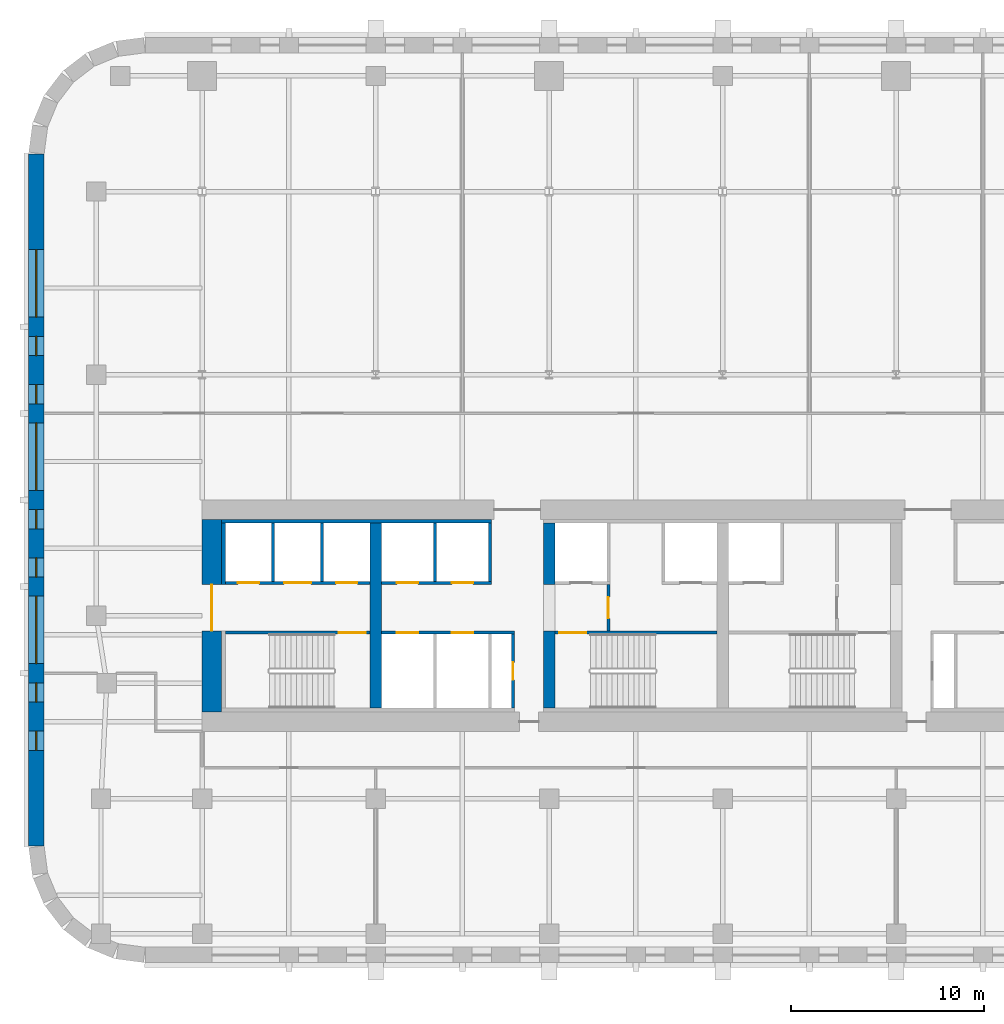
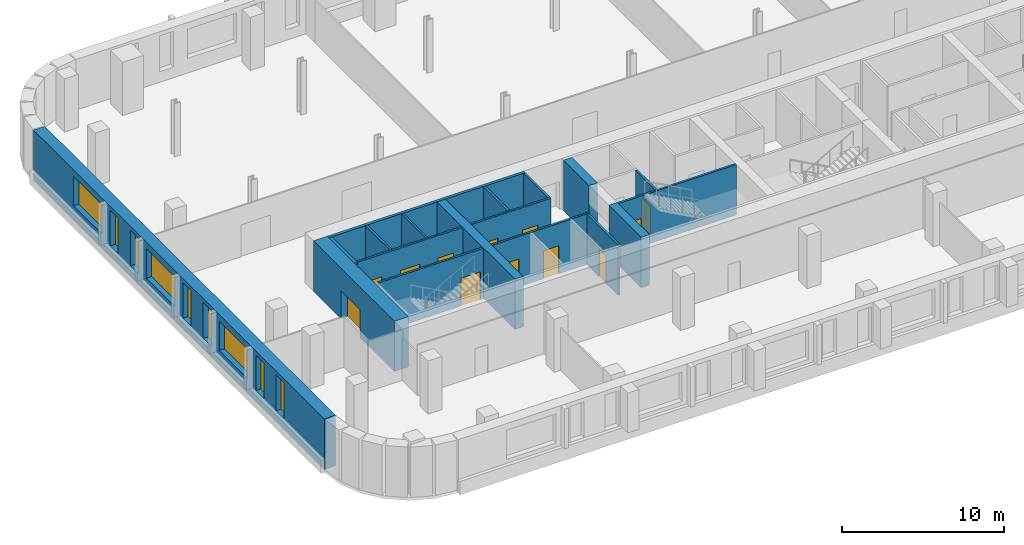
# One storey, part 3 of 9: 18 walls, 12 doors, 9 windows, 21 openings.
"""IFC4 building model written with IfcOpenShell, lengths in metres."""

from ifc_helpers import new_model, si_unit, direction, frame, frame_2d, origin, place, context, subcontext, project, spatial, rectangle, extrude, material, layer, layer_set, type_object, element, fill, save


model = new_model("IFC4")

# Units and contexts
model_context = context("Model", 3, precision=1e-05, world=origin(), true_north=direction((0.0, 1.0)))
body_context = subcontext(model_context, "Body", "Model", "MODEL_VIEW")
ifc_project = project(units=[si_unit("LENGTHUNIT", "METRE"), si_unit("AREAUNIT", "SQUARE_METRE"), si_unit("VOLUMEUNIT", "CUBIC_METRE"), si_unit("PLANEANGLEUNIT", "RADIAN"), si_unit("MASSUNIT", "GRAM", prefix="KILO")], contexts=[model_context])

# Site, building, storey
site_placement = place(None, origin())
site = spatial("IfcSite", under=ifc_project, at=site_placement, CompositionType="ELEMENT")
building_placement = place(site_placement, origin())
building = spatial("IfcBuilding", under=site, at=building_placement, Name="Zellij Exchange Tower", CompositionType="ELEMENT")
storey_placement = place(building_placement, frame((0.0, 0.0, 148.5)))
storey = spatial("IfcBuildingStorey", under=building, at=storey_placement, Name="L33", CompositionType="ELEMENT", Elevation=148.5)

# Walls
ifc_material_1 = material(Name="Concrete C70/85", Category="concrete")
ifc_layer_1 = layer(ifc_material_1, 0.60009765625)
ifc_layer_set_1 = layer_set([ifc_layer_1], Name="Concrete C70/85")
wall_type_1 = type_object("IfcWallType", Name="CORE-CW 600 C70/85", PredefinedType="SHEAR", material=ifc_layer_set_1)
wall_1_placement = place(storey_placement, frame((-18.0, -12.800048828125, 0.0), z_axis=(0.0, 0.0, 1.0), x_axis=(0.0, 1.0, 0.0)))
element("IfcWall", 1, at=wall_1_placement, inside=storey, type_object=wall_type_1, Name="Core cross wall x -18 L33", PredefinedType="SHEAR", context=body_context, shape_type="SweptSolid", body=[
    extrude(rectangle(XDim=9.60009765625, YDim=0.60009765625, at=frame_2d((4.800048828125, 0.0))), origin(), (0.0, 0.0, 1.0), 3.800048828125),
])
wall_2_placement = place(storey_placement, frame((-9.0, -12.800048828125, 0.0), z_axis=(0.0, 0.0, 1.0), x_axis=(0.0, 1.0, 0.0)))
element("IfcWall", 2, at=wall_2_placement, inside=storey, type_object=wall_type_1, Name="Core cross wall pier x -9 a L33", PredefinedType="SHEAR", context=body_context, shape_type="SweptSolid", body=[
    extrude(rectangle(XDim=4.0, YDim=0.60009765625, at=frame_2d((2.0, 0.0))), origin(), (0.0, 0.0, 1.0), 3.800048828125),
])
wall_3_placement = place(storey_placement, frame((-9.0, -6.375, 0.0), z_axis=(0.0, 0.0, 1.0), x_axis=(0.0, 1.0, 0.0)))
element("IfcWall", 3, at=wall_3_placement, inside=storey, type_object=wall_type_1, Name="Core cross wall pier x -9 b L33", PredefinedType="SHEAR", context=body_context, shape_type="SweptSolid", body=[
    extrude(rectangle(XDim=3.175048828125, YDim=0.60009765625, at=frame_2d((1.58740234375, 0.0))), origin(), (0.0, 0.0, 1.0), 3.800048828125),
])
ifc_material_2 = material(Name="Concrete C30/37", Category="concrete")
ifc_layer_2 = layer(ifc_material_2, 0.199951171875)
ifc_layer_set_2 = layer_set([ifc_layer_2], Name="Concrete C30/37")
wall_type_2 = type_object("IfcWallType", Name="CORE-LW 200 C30/37", PredefinedType="SHEAR", material=ifc_layer_set_2)
wall_4_placement = place(storey_placement, frame((-26.0, -3.10009765625, 0.0), z_axis=(0.0, 0.0, 1.0), x_axis=(1.0, 0.0, 0.0)))
element("IfcWall", 4, at=wall_4_placement, inside=storey, type_object=wall_type_2, Name="Core wall lining front.0 L33", PredefinedType="SHEAR", context=body_context, shape_type="SweptSolid", body=[
    extrude(rectangle(XDim=14.0, YDim=0.199951171875, at=frame_2d((7.0, 0.0))), origin(), (0.0, 0.0, 1.0), 3.800048828125),
])
wall_5_placement = place(storey_placement, frame((-25.89990234375, -6.375, 0.0), z_axis=(0.0, 0.0, 1.0), x_axis=(0.0, 1.0, 0.0)))
element("IfcWall", 5, at=wall_5_placement, inside=storey, type_object=wall_type_2, Name="Core wall lining end w.1 L33", PredefinedType="SHEAR", context=body_context, shape_type="SweptSolid", body=[
    extrude(rectangle(XDim=3.175048828125, YDim=0.199951171875, at=frame_2d((1.58740234375, 0.0))), origin(), (0.0, 0.0, 1.0), 3.800048828125),
])

# Wall, opening, door
ifc_material_3 = material(Name="Gypsum shaft wall system")
ifc_layer_3 = layer(ifc_material_3, 0.14990234375)
ifc_layer_set_3 = layer_set([ifc_layer_3], Name="Gypsum shaft wall system")
wall_type_3 = type_object("IfcWallType", Name="CORE-PW 150 Firefighting lobby wall", PredefinedType="PARTITIONING", material=ifc_layer_set_3)
wall_6_placement = place(storey_placement, frame((-5.925048828125, -8.800048828125, 0.0), z_axis=(0.0, 0.0, 1.0), x_axis=(0.0, 1.0, 0.0)))
wall_6 = element("IfcWall", 6, at=wall_6_placement, inside=storey, type_object=wall_type_3, Name="Firefighting lobby wall L33", PredefinedType="PARTITIONING", context=body_context, shape_type="SweptSolid", body=[
    extrude(rectangle(XDim=2.425048828125, YDim=0.14990234375, at=frame_2d((1.21240234375, 0.0))), origin(), (0.0, 0.0, 1.0), 3.800048828125),
])
opening_1_placement = place(wall_6_placement, frame((0.662109375, 0.0, 0.0)))
opening_1 = element("IfcOpeningElement", 7, at=opening_1_placement, cuts=wall_6, Name="Opening CA-17.15", PredefinedType="OPENING", context=body_context, shape_type="SweptSolid", body=[
    extrude(rectangle(XDim=1.10009765625, YDim=2.10009765625, at=frame_2d((0.550048828125, 1.050048828125))), frame((0.0, 0.0869140625, 0.0), z_axis=(0.0, -1.0, 0.0), x_axis=(1.0, 0.0, 0.0)), (0.0, 0.0, 1.0), 0.173828125),
])
ifc_material_4 = material(Name="Hollow metal fire door")
door_type_1 = type_object("IfcDoorType", Name="CORE-D F Firefighting lobby door 1100x2100 1 HR", OperationType="NOTDEFINED", PredefinedType="DOOR", material=ifc_material_4)
door_1_placement = place(opening_1_placement, origin())
door_1 = element("IfcDoor", 8, at=door_1_placement, inside=storey, type_object=door_type_1, Name="Firefighting lobby door CA-17.15", OperationType="SINGLE_SWING_LEFT", OverallHeight=2.10009765625, OverallWidth=1.10009765625, PredefinedType="DOOR", context=body_context, shape_type="SweptSolid", body=[
    extrude(rectangle(XDim=1.10009765625, YDim=2.10009765625, at=frame_2d((0.550048828125, 1.050048828125))), frame((0.0, 0.02490234375, 0.0), z_axis=(0.0, -1.0, 0.0), x_axis=(1.0, 0.0, 0.0)), (0.0, 0.0, 1.0), 0.050048828125),
])
fill(opening_1, door_1)

ifc_material_5 = material(Name="Gypsum board partition")
ifc_layer_4 = layer(ifc_material_5, 0.14990234375)
ifc_layer_set_4 = layer_set([ifc_layer_4], Name="Gypsum board partition")
wall_type_4 = type_object("IfcWallType", Name="CORE-PW 150 Lift lobby wall", PredefinedType="PARTITIONING", material=ifc_layer_set_4)
wall_7_placement = place(storey_placement, frame((-10.875, -12.800048828125, 0.0), z_axis=(0.0, 0.0, 1.0), x_axis=(0.0, 1.0, 0.0)))
wall_7 = element("IfcWall", 9, at=wall_7_placement, inside=storey, type_object=wall_type_4, Name="Lift lobby wall L33", PredefinedType="PARTITIONING", context=body_context, shape_type="SweptSolid", body=[
    extrude(rectangle(XDim=3.85009765625, YDim=0.14990234375, at=frame_2d((1.925048828125, 0.0))), origin(), (0.0, 0.0, 1.0), 3.800048828125),
])
opening_2_placement = place(wall_7_placement, frame((1.47509765625, 0.0, 0.0)))
opening_2 = element("IfcOpeningElement", 10, at=opening_2_placement, cuts=wall_7, Name="Opening CA-17.10", PredefinedType="OPENING", context=body_context, shape_type="SweptSolid", body=[
    extrude(rectangle(XDim=0.89990234375, YDim=2.10009765625, at=frame_2d((0.449951171875, 1.050048828125))), frame((0.0, 0.0869140625, 0.0), z_axis=(0.0, -1.0, 0.0), x_axis=(1.0, 0.0, 0.0)), (0.0, 0.0, 1.0), 0.173828125),
])
door_type_2 = type_object("IfcDoorType", Name="CORE-D RD Riser door 900x2100 1.5 HR", OperationType="NOTDEFINED", PredefinedType="DOOR", material=ifc_material_4)
door_2_placement = place(opening_2_placement, origin())
door_2 = element("IfcDoor", 11, at=door_2_placement, inside=storey, type_object=door_type_2, Name="Riser door CA-17.10", OperationType="SINGLE_SWING_RIGHT", OverallHeight=2.10009765625, OverallWidth=0.89990234375, PredefinedType="DOOR", context=body_context, shape_type="SweptSolid", body=[
    extrude(rectangle(XDim=0.89990234375, YDim=2.10009765625, at=frame_2d((0.449951171875, 1.050048828125))), frame((0.0, 0.02490234375, 0.0), z_axis=(0.0, -1.0, 0.0), x_axis=(1.0, 0.0, 0.0)), (0.0, 0.0, 1.0), 0.050048828125),
])
fill(opening_2, door_2)

# Walls
ifc_layer_5 = layer(ifc_material_3, 0.14990234375)
ifc_layer_set_5 = layer_set([ifc_layer_5], Name="Gypsum shaft wall system")
wall_type_5 = type_object("IfcWallType", Name="CORE-PW 150 Lift shaft wall", PredefinedType="PARTITIONING", material=ifc_layer_set_5)
for number, where, z_axis, x_axis, name in (
    (12, (-20.77490234375, -6.22509765625, 0.0), (0.0, 0.0, 1.0), (0.0, 1.0, 0.0), "Lift shaft wall L33"),
    (13, (-23.324951171875, -6.22509765625, 0.0), (0.0, 0.0, 1.0), (0.0, 1.0, 0.0), "Lift shaft wall L33"),
    (14, (-12.074951171875, -6.22509765625, 0.0), (0.0, 0.0, 1.0), (0.0, 1.0, 0.0), "Lift shaft wall L33"),
    (15, (-14.925048828125, -6.22509765625, 0.0), (0.0, 0.0, 1.0), (0.0, 1.0, 0.0), "Lift shaft wall L33"),
):
    element("IfcWall", number, at=place(storey_placement, frame(where, z_axis=z_axis, x_axis=x_axis)), inside=storey, type_object=wall_type_5, Name=name, PredefinedType="PARTITIONING", context=body_context, shape_type="SweptSolid", body=[
        extrude(rectangle(XDim=3.025146484375, YDim=0.14990234375, at=frame_2d((1.5126953125, 0.0))), origin(), (0.0, 0.0, 1.0), 3.800048828125),
    ])

# Wall, openings, doors
wall_8_placement = place(storey_placement, frame((-25.800048828125, -6.300048828125, 0.0), z_axis=(0.0, 0.0, 1.0), x_axis=(1.0, 0.0, 0.0)))
wall_8 = element("IfcWall", 16, at=wall_8_placement, inside=storey, type_object=wall_type_5, Name="Lift shaft wall L33", PredefinedType="PARTITIONING", context=body_context, shape_type="SweptSolid", body=[
    extrude(rectangle(XDim=7.5, YDim=0.14990234375, at=frame_2d((3.75, 0.0))), origin(), (0.0, 0.0, 1.0), 3.800048828125),
])
opening_3_placement = place(wall_8_placement, frame((0.64990234375, 0.0, 0.0)))
opening_3 = element("IfcOpeningElement", 17, at=opening_3_placement, cuts=wall_8, Name="Opening CA-17.02", PredefinedType="OPENING", context=body_context, shape_type="SweptSolid", body=[
    extrude(rectangle(XDim=1.10009765625, YDim=2.10009765625, at=frame_2d((0.550048828125, 1.050048828125))), frame((0.0, 0.0869140625, 0.0), z_axis=(0.0, -1.0, 0.0), x_axis=(1.0, 0.0, 0.0)), (0.0, 0.0, 1.0), 0.173828125),
])
opening_4_placement = place(wall_8_placement, frame((3.050048828125, 0.0, 0.0)))
opening_4 = element("IfcOpeningElement", 18, at=opening_4_placement, cuts=wall_8, Name="Opening CA-17.03", PredefinedType="OPENING", context=body_context, shape_type="SweptSolid", body=[
    extrude(rectangle(XDim=1.39990234375, YDim=2.10009765625, at=frame_2d((0.699951171875, 1.050048828125))), frame((0.0, 0.0869140625, 0.0), z_axis=(0.0, -1.0, 0.0), x_axis=(1.0, 0.0, 0.0)), (0.0, 0.0, 1.0), 0.173828125),
])
opening_5_placement = place(wall_8_placement, frame((5.75, 0.0, 0.0)))
opening_5 = element("IfcOpeningElement", 19, at=opening_5_placement, cuts=wall_8, Name="Opening CA-17.04", PredefinedType="OPENING", context=body_context, shape_type="SweptSolid", body=[
    extrude(rectangle(XDim=1.10009765625, YDim=2.10009765625, at=frame_2d((0.550048828125, 1.050048828125))), frame((0.0, 0.0869140625, 0.0), z_axis=(0.0, -1.0, 0.0), x_axis=(1.0, 0.0, 0.0)), (0.0, 0.0, 1.0), 0.173828125),
])
door_type_3 = type_object("IfcDoorType", Name="CORE-D LD Lift landing door 1100x2100 1.5 HR", OperationType="NOTDEFINED", PredefinedType="DOOR", material=ifc_material_4)
door_3_placement = place(opening_3_placement, origin())
door_3 = element("IfcDoor", 20, at=door_3_placement, inside=storey, type_object=door_type_3, Name="Lift landing door CA-17.02", OperationType="SLIDING_TO_RIGHT", OverallHeight=2.10009765625, OverallWidth=1.10009765625, PredefinedType="DOOR", context=body_context, shape_type="SweptSolid", body=[
    extrude(rectangle(XDim=1.10009765625, YDim=2.10009765625, at=frame_2d((0.550048828125, 1.050048828125))), frame((0.0, 0.02490234375, 0.0), z_axis=(0.0, -1.0, 0.0), x_axis=(1.0, 0.0, 0.0)), (0.0, 0.0, 1.0), 0.050048828125),
])
fill(opening_3, door_3)
door_4_placement = place(opening_5_placement, origin())
door_4 = element("IfcDoor", 21, at=door_4_placement, inside=storey, type_object=door_type_3, Name="Lift landing door CA-17.04", OperationType="SLIDING_TO_RIGHT", OverallHeight=2.10009765625, OverallWidth=1.10009765625, PredefinedType="DOOR", context=body_context, shape_type="SweptSolid", body=[
    extrude(rectangle(XDim=1.10009765625, YDim=2.10009765625, at=frame_2d((0.550048828125, 1.050048828125))), frame((0.0, 0.02490234375, 0.0), z_axis=(0.0, -1.0, 0.0), x_axis=(1.0, 0.0, 0.0)), (0.0, 0.0, 1.0), 0.050048828125),
])
fill(opening_5, door_4)
door_type_4 = type_object("IfcDoorType", Name="CORE-D LD2 Service lift landing door 1400x2100 1.5 HR", OperationType="NOTDEFINED", PredefinedType="DOOR", material=ifc_material_4)
door_5_placement = place(opening_4_placement, origin())
door_5 = element("IfcDoor", 22, at=door_5_placement, inside=storey, type_object=door_type_4, Name="Service lift landing door CA-17.03", OperationType="SLIDING_TO_LEFT", OverallHeight=2.10009765625, OverallWidth=1.39990234375, PredefinedType="DOOR", context=body_context, shape_type="SweptSolid", body=[
    extrude(rectangle(XDim=1.39990234375, YDim=2.10009765625, at=frame_2d((0.699951171875, 1.050048828125))), frame((0.0, 0.02490234375, 0.0), z_axis=(0.0, -1.0, 0.0), x_axis=(1.0, 0.0, 0.0)), (0.0, 0.0, 1.0), 0.050048828125),
])
fill(opening_4, door_5)

wall_9_placement = place(storey_placement, frame((-17.699951171875, -6.300048828125, 0.0), z_axis=(0.0, 0.0, 1.0), x_axis=(1.0, 0.0, 0.0)))
wall_9 = element("IfcWall", 23, at=wall_9_placement, inside=storey, type_object=wall_type_5, Name="Lift shaft wall L33", PredefinedType="PARTITIONING", context=body_context, shape_type="SweptSolid", body=[
    extrude(rectangle(XDim=5.699951171875, YDim=0.14990234375, at=frame_2d((2.85009765625, 0.0))), origin(), (0.0, 0.0, 1.0), 3.800048828125),
])
opening_6_placement = place(wall_9_placement, frame((0.800048828125, 0.0, 0.0)))
opening_6 = element("IfcOpeningElement", 24, at=opening_6_placement, cuts=wall_9, Name="Opening CA-17.07", PredefinedType="OPENING", context=body_context, shape_type="SweptSolid", body=[
    extrude(rectangle(XDim=1.10009765625, YDim=2.10009765625, at=frame_2d((0.550048828125, 1.050048828125))), frame((0.0, 0.0869140625, 0.0), z_axis=(0.0, -1.0, 0.0), x_axis=(1.0, 0.0, 0.0)), (0.0, 0.0, 1.0), 0.173828125),
])
opening_7_placement = place(wall_9_placement, frame((3.64990234375, 0.0, 0.0)))
opening_7 = element("IfcOpeningElement", 25, at=opening_7_placement, cuts=wall_9, Name="Opening CA-17.09", PredefinedType="OPENING", context=body_context, shape_type="SweptSolid", body=[
    extrude(rectangle(XDim=1.10009765625, YDim=2.10009765625, at=frame_2d((0.550048828125, 1.050048828125))), frame((0.0, 0.0869140625, 0.0), z_axis=(0.0, -1.0, 0.0), x_axis=(1.0, 0.0, 0.0)), (0.0, 0.0, 1.0), 0.173828125),
])
door_6_placement = place(opening_6_placement, origin())
door_6 = element("IfcDoor", 26, at=door_6_placement, inside=storey, type_object=door_type_3, Name="Lift landing door CA-17.07", OperationType="SLIDING_TO_LEFT", OverallHeight=2.10009765625, OverallWidth=1.10009765625, PredefinedType="DOOR", context=body_context, shape_type="SweptSolid", body=[
    extrude(rectangle(XDim=1.10009765625, YDim=2.10009765625, at=frame_2d((0.550048828125, 1.050048828125))), frame((0.0, 0.02490234375, 0.0), z_axis=(0.0, -1.0, 0.0), x_axis=(1.0, 0.0, 0.0)), (0.0, 0.0, 1.0), 0.050048828125),
])
fill(opening_6, door_6)
door_7_placement = place(opening_7_placement, origin())
door_7 = element("IfcDoor", 27, at=door_7_placement, inside=storey, type_object=door_type_3, Name="Lift landing door CA-17.09", OperationType="SLIDING_TO_LEFT", OverallHeight=2.10009765625, OverallWidth=1.10009765625, PredefinedType="DOOR", context=body_context, shape_type="SweptSolid", body=[
    extrude(rectangle(XDim=1.10009765625, YDim=2.10009765625, at=frame_2d((0.550048828125, 1.050048828125))), frame((0.0, 0.02490234375, 0.0), z_axis=(0.0, -1.0, 0.0), x_axis=(1.0, 0.0, 0.0)), (0.0, 0.0, 1.0), 0.050048828125),
])
fill(opening_7, door_7)

wall_10_placement = place(storey_placement, frame((-17.699951171875, -8.875, 0.0), z_axis=(0.0, 0.0, 1.0), x_axis=(1.0, 0.0, 0.0)))
wall_10 = element("IfcWall", 28, at=wall_10_placement, inside=storey, type_object=wall_type_5, Name="Lift shaft wall L33", PredefinedType="PARTITIONING", context=body_context, shape_type="SweptSolid", body=[
    extrude(rectangle(XDim=6.89990234375, YDim=0.14990234375, at=frame_2d((3.449951171875, 0.0))), origin(), (0.0, 0.0, 1.0), 3.800048828125),
])
opening_8_placement = place(wall_10_placement, frame((0.800048828125, 0.0, 0.0)))
opening_8 = element("IfcOpeningElement", 29, at=opening_8_placement, cuts=wall_10, Name="Opening CA-17.06", PredefinedType="OPENING", context=body_context, shape_type="SweptSolid", body=[
    extrude(rectangle(XDim=1.10009765625, YDim=2.10009765625, at=frame_2d((0.550048828125, 1.050048828125))), frame((0.0, 0.0869140625, 0.0), z_axis=(0.0, -1.0, 0.0), x_axis=(1.0, 0.0, 0.0)), (0.0, 0.0, 1.0), 0.173828125),
])
opening_9_placement = place(wall_10_placement, frame((3.64990234375, 0.0, 0.0)))
opening_9 = element("IfcOpeningElement", 30, at=opening_9_placement, cuts=wall_10, Name="Opening CA-17.08", PredefinedType="OPENING", context=body_context, shape_type="SweptSolid", body=[
    extrude(rectangle(XDim=1.10009765625, YDim=2.10009765625, at=frame_2d((0.550048828125, 1.050048828125))), frame((0.0, 0.0869140625, 0.0), z_axis=(0.0, -1.0, 0.0), x_axis=(1.0, 0.0, 0.0)), (0.0, 0.0, 1.0), 0.173828125),
])
door_8_placement = place(opening_8_placement, origin())
door_8 = element("IfcDoor", 31, at=door_8_placement, inside=storey, type_object=door_type_3, Name="Lift landing door CA-17.06", OperationType="SLIDING_TO_RIGHT", OverallHeight=2.10009765625, OverallWidth=1.10009765625, PredefinedType="DOOR", context=body_context, shape_type="SweptSolid", body=[
    extrude(rectangle(XDim=1.10009765625, YDim=2.10009765625, at=frame_2d((0.550048828125, 1.050048828125))), frame((0.0, 0.02490234375, 0.0), z_axis=(0.0, -1.0, 0.0), x_axis=(1.0, 0.0, 0.0)), (0.0, 0.0, 1.0), 0.050048828125),
])
fill(opening_8, door_8)
door_9_placement = place(opening_9_placement, origin())
door_9 = element("IfcDoor", 32, at=door_9_placement, inside=storey, type_object=door_type_3, Name="Lift landing door CA-17.08", OperationType="SLIDING_TO_RIGHT", OverallHeight=2.10009765625, OverallWidth=1.10009765625, PredefinedType="DOOR", context=body_context, shape_type="SweptSolid", body=[
    extrude(rectangle(XDim=1.10009765625, YDim=2.10009765625, at=frame_2d((0.550048828125, 1.050048828125))), frame((0.0, 0.02490234375, 0.0), z_axis=(0.0, -1.0, 0.0), x_axis=(1.0, 0.0, 0.0)), (0.0, 0.0, 1.0), 0.050048828125),
])
fill(opening_9, door_9)

# Wall, opening, door
ifc_layer_6 = layer(ifc_material_1, 1.0)
ifc_layer_set_6 = layer_set([ifc_layer_6], Name="Concrete C70/85")
wall_type_6 = type_object("IfcWallType", Name="CORE-SW 1000 C70/85", PredefinedType="SHEAR", material=ifc_layer_set_6)
wall_11_placement = place(storey_placement, frame((-26.5, -13.0, 0.0), z_axis=(0.0, 0.0, 1.0), x_axis=(0.0, 1.0, 0.0)))
wall_11 = element("IfcWall", 33, at=wall_11_placement, inside=storey, type_object=wall_type_6, Name="Core shear wall end w L33", PredefinedType="SHEAR", context=body_context, shape_type="SweptSolid", body=[
    extrude(rectangle(XDim=10.0, YDim=1.0, at=frame_2d((5.0, 0.0))), origin(), (0.0, 0.0, 1.0), 3.800048828125),
])
opening_10_placement = place(wall_11_placement, frame((4.2119140625, 0.0, 0.0)))
opening_10 = element("IfcOpeningElement", 34, at=opening_10_placement, cuts=wall_11, Name="Opening CA-17.01", PredefinedType="OPENING", context=body_context, shape_type="SweptSolid", body=[
    extrude(rectangle(XDim=2.39990234375, YDim=2.10009765625, at=frame_2d((1.199951171875, 1.050048828125))), frame((0.0, 0.511962890625, 0.0), z_axis=(0.0, -1.0, 0.0), x_axis=(1.0, 0.0, 0.0)), (0.0, 0.0, 1.0), 1.02392578125),
])
door_type_5 = type_object("IfcDoorType", Name="CORE-D CE Core entrance door 2400x2100 20 MIN", OperationType="NOTDEFINED", PredefinedType="DOOR", material=ifc_material_4)
door_10_placement = place(opening_10_placement, origin())
door_10 = element("IfcDoor", 35, at=door_10_placement, inside=storey, type_object=door_type_5, Name="Core entrance door CA-17.01", OperationType="DOUBLE_DOOR_SINGLE_SWING", OverallHeight=2.10009765625, OverallWidth=2.39990234375, PredefinedType="DOOR", context=body_context, shape_type="SweptSolid", body=[
    extrude(rectangle(XDim=2.39990234375, YDim=2.10009765625, at=frame_2d((1.199951171875, 1.050048828125))), frame((0.0, 0.02490234375, 0.0), z_axis=(0.0, -1.0, 0.0), x_axis=(1.0, 0.0, 0.0)), (0.0, 0.0, 1.0), 0.050048828125),
])
fill(opening_10, door_10)

ifc_layer_7 = layer(ifc_material_1, 0.14990234375)
ifc_layer_set_7 = layer_set([ifc_layer_7], Name="Concrete C70/85")
wall_type_7 = type_object("IfcWallType", Name="CORE-SWS 150 C70/85", PredefinedType="SHEAR", material=ifc_layer_set_7)
wall_12_placement = place(storey_placement, frame((-25.800048828125, -8.875, 0.0), z_axis=(0.0, 0.0, 1.0), x_axis=(1.0, 0.0, 0.0)))
wall_12 = element("IfcWall", 36, at=wall_12_placement, inside=storey, type_object=wall_type_7, Name="Stair enclosure wall L33", PredefinedType="SHEAR", context=body_context, shape_type="SweptSolid", body=[
    extrude(rectangle(XDim=7.5, YDim=0.14990234375, at=frame_2d((3.75, 0.0))), origin(), (0.0, 0.0, 1.0), 3.800048828125),
])
opening_11_placement = place(wall_12_placement, frame((5.875, 0.0, 0.0)))
opening_11 = element("IfcOpeningElement", 37, at=opening_11_placement, cuts=wall_12, Name="Opening CA-17.05", PredefinedType="OPENING", context=body_context, shape_type="SweptSolid", body=[
    extrude(rectangle(XDim=1.39990234375, YDim=2.10009765625, at=frame_2d((0.699951171875, 1.050048828125))), frame((0.0, 0.0869140625, 0.0), z_axis=(0.0, -1.0, 0.0), x_axis=(1.0, 0.0, 0.0)), (0.0, 0.0, 1.0), 0.173828125),
])
door_type_6 = type_object("IfcDoorType", Name="CORE-D SD Stair door 1400x2100 1.5 HR", OperationType="NOTDEFINED", PredefinedType="DOOR", material=ifc_material_4)
door_11_placement = place(opening_11_placement, origin())
door_11 = element("IfcDoor", 38, at=door_11_placement, inside=storey, type_object=door_type_6, Name="Stair door CA-17.05", OperationType="DOUBLE_DOOR_SINGLE_SWING", OverallHeight=2.10009765625, OverallWidth=1.39990234375, PredefinedType="DOOR", context=body_context, shape_type="SweptSolid", body=[
    extrude(rectangle(XDim=1.39990234375, YDim=2.10009765625, at=frame_2d((0.699951171875, 1.050048828125))), frame((0.0, 0.02490234375, 0.0), z_axis=(0.0, -1.0, 0.0), x_axis=(1.0, 0.0, 0.0)), (0.0, 0.0, 1.0), 0.050048828125),
])
fill(opening_11, door_11)

wall_13_placement = place(storey_placement, frame((-8.699951171875, -8.875, 0.0), z_axis=(0.0, 0.0, 1.0), x_axis=(1.0, 0.0, 0.0)))
wall_13 = element("IfcWall", 39, at=wall_13_placement, inside=storey, type_object=wall_type_7, Name="Stair enclosure wall L33", PredefinedType="SHEAR", context=body_context, shape_type="SweptSolid", body=[
    extrude(rectangle(XDim=8.39990234375, YDim=0.14990234375, at=frame_2d((4.199951171875, 0.0))), origin(), (0.0, 0.0, 1.0), 3.800048828125),
])
opening_12_placement = place(wall_13_placement, frame((0.22509765625, 0.0, 0.0)))
opening_12 = element("IfcOpeningElement", 40, at=opening_12_placement, cuts=wall_13, Name="Opening CA-17.13", PredefinedType="OPENING", context=body_context, shape_type="SweptSolid", body=[
    extrude(rectangle(XDim=1.39990234375, YDim=2.10009765625, at=frame_2d((0.699951171875, 1.050048828125))), frame((0.0, 0.0869140625, 0.0), z_axis=(0.0, -1.0, 0.0), x_axis=(1.0, 0.0, 0.0)), (0.0, 0.0, 1.0), 0.173828125),
])
door_12_placement = place(opening_12_placement, origin())
door_12 = element("IfcDoor", 41, at=door_12_placement, inside=storey, type_object=door_type_6, Name="Stair door CA-17.13", OperationType="DOUBLE_DOOR_SINGLE_SWING", OverallHeight=2.10009765625, OverallWidth=1.39990234375, PredefinedType="DOOR", context=body_context, shape_type="SweptSolid", body=[
    extrude(rectangle(XDim=1.39990234375, YDim=2.10009765625, at=frame_2d((0.699951171875, 1.050048828125))), frame((0.0, 0.02490234375, 0.0), z_axis=(0.0, -1.0, 0.0), x_axis=(1.0, 0.0, 0.0)), (0.0, 0.0, 1.0), 0.050048828125),
])
fill(opening_12, door_12)

# Wall, openings, windows
ifc_material_6 = material(Name="Precast concrete C40/50", Category="concrete")
ifc_layer_8 = layer(ifc_material_6, 0.800048828125)
ifc_layer_set_8 = layer_set([ifc_layer_8], Name="Precast concrete C40/50")
wall_type_8 = type_object("IfcWallType", Name="ENV-EW1 Precast stone-piered wall 800", PredefinedType="SOLIDWALL", material=ifc_layer_set_8)
wall_14_placement = place(storey_placement, frame((-35.60009765625, 15.947509765625, 0.0), z_axis=(0.0, 0.0, 1.0), x_axis=(0.0, -1.0, 0.0)))
wall_14 = element("IfcWall", 42, at=wall_14_placement, inside=storey, type_object=wall_type_8, Name="fac.L33.21", PredefinedType="SOLIDWALL", context=body_context, shape_type="SweptSolid", body=[
    extrude(rectangle(XDim=35.89501953125, YDim=0.800048828125, at=frame_2d((17.947509765625, 0.0))), origin(), (0.0, 0.0, 1.0), 3.800048828125),
])
opening_13_placement = place(wall_14_placement, frame((4.9638671875, 0.0, 1.10009765625)))
opening_13 = element("IfcOpeningElement", 43, at=opening_13_placement, cuts=wall_14, Name="Opening FZ2.46", PredefinedType="OPENING", context=body_context, shape_type="SweptSolid", body=[
    extrude(rectangle(XDim=3.5, YDim=2.199951171875, at=frame_2d((1.75, 1.10009765625))), frame((0.0, 0.412109375, 0.0), z_axis=(0.0, -1.0, 0.0), x_axis=(1.0, 0.0, 0.0)), (0.0, 0.0, 1.0), 0.823974609375),
])
opening_14_placement = place(wall_14_placement, frame((9.45751953125, 0.0, 0.800048828125)))
opening_14 = element("IfcOpeningElement", 44, at=opening_14_placement, cuts=wall_14, Name="Opening FZ2.47", PredefinedType="OPENING", context=body_context, shape_type="SweptSolid", body=[
    extrude(rectangle(XDim=1.0, YDim=2.699951171875, at=frame_2d((0.5, 1.35009765625))), frame((0.0, 0.412109375, 0.0), z_axis=(0.0, -1.0, 0.0), x_axis=(1.0, 0.0, 0.0)), (0.0, 0.0, 1.0), 0.823974609375),
])
opening_15_placement = place(wall_14_placement, frame((11.95751953125, 0.0, 0.800048828125)))
opening_15 = element("IfcOpeningElement", 45, at=opening_15_placement, cuts=wall_14, Name="Opening FZ2.48", PredefinedType="OPENING", context=body_context, shape_type="SweptSolid", body=[
    extrude(rectangle(XDim=1.0, YDim=2.699951171875, at=frame_2d((0.5, 1.35009765625))), frame((0.0, 0.412109375, 0.0), z_axis=(0.0, -1.0, 0.0), x_axis=(1.0, 0.0, 0.0)), (0.0, 0.0, 1.0), 0.823974609375),
])
opening_16_placement = place(wall_14_placement, frame((13.950927734375, 0.0, 1.10009765625)))
opening_16 = element("IfcOpeningElement", 46, at=opening_16_placement, cuts=wall_14, Name="Opening FZ2.49", PredefinedType="OPENING", context=body_context, shape_type="SweptSolid", body=[
    extrude(rectangle(XDim=3.5, YDim=2.199951171875, at=frame_2d((1.75, 1.10009765625))), frame((0.0, 0.412109375, 0.0), z_axis=(0.0, -1.0, 0.0), x_axis=(1.0, 0.0, 0.0)), (0.0, 0.0, 1.0), 0.823974609375),
])
opening_17_placement = place(wall_14_placement, frame((18.4443359375, 0.0, 0.800048828125)))
opening_17 = element("IfcOpeningElement", 47, at=opening_17_placement, cuts=wall_14, Name="Opening FZ2.50", PredefinedType="OPENING", context=body_context, shape_type="SweptSolid", body=[
    extrude(rectangle(XDim=1.0, YDim=2.699951171875, at=frame_2d((0.5, 1.35009765625))), frame((0.0, 0.412109375, 0.0), z_axis=(0.0, -1.0, 0.0), x_axis=(1.0, 0.0, 0.0)), (0.0, 0.0, 1.0), 0.823974609375),
])
opening_18_placement = place(wall_14_placement, frame((20.9443359375, 0.0, 0.800048828125)))
opening_18 = element("IfcOpeningElement", 48, at=opening_18_placement, cuts=wall_14, Name="Opening FZ2.51", PredefinedType="OPENING", context=body_context, shape_type="SweptSolid", body=[
    extrude(rectangle(XDim=1.0, YDim=2.699951171875, at=frame_2d((0.5, 1.35009765625))), frame((0.0, 0.412109375, 0.0), z_axis=(0.0, -1.0, 0.0), x_axis=(1.0, 0.0, 0.0)), (0.0, 0.0, 1.0), 0.823974609375),
])
opening_19_placement = place(wall_14_placement, frame((22.937744140625, 0.0, 1.10009765625)))
opening_19 = element("IfcOpeningElement", 49, at=opening_19_placement, cuts=wall_14, Name="Opening FZ2.52", PredefinedType="OPENING", context=body_context, shape_type="SweptSolid", body=[
    extrude(rectangle(XDim=3.5, YDim=2.199951171875, at=frame_2d((1.75, 1.10009765625))), frame((0.0, 0.412109375, 0.0), z_axis=(0.0, -1.0, 0.0), x_axis=(1.0, 0.0, 0.0)), (0.0, 0.0, 1.0), 0.823974609375),
])
opening_20_placement = place(wall_14_placement, frame((27.43115234375, 0.0, 0.800048828125)))
opening_20 = element("IfcOpeningElement", 50, at=opening_20_placement, cuts=wall_14, Name="Opening FZ2.53", PredefinedType="OPENING", context=body_context, shape_type="SweptSolid", body=[
    extrude(rectangle(XDim=1.0, YDim=2.699951171875, at=frame_2d((0.5, 1.35009765625))), frame((0.0, 0.412109375, 0.0), z_axis=(0.0, -1.0, 0.0), x_axis=(1.0, 0.0, 0.0)), (0.0, 0.0, 1.0), 0.823974609375),
])
opening_21_placement = place(wall_14_placement, frame((29.93115234375, 0.0, 0.800048828125)))
opening_21 = element("IfcOpeningElement", 51, at=opening_21_placement, cuts=wall_14, Name="Opening FZ2.54", PredefinedType="OPENING", context=body_context, shape_type="SweptSolid", body=[
    extrude(rectangle(XDim=1.0, YDim=2.699951171875, at=frame_2d((0.5, 1.35009765625))), frame((0.0, 0.412109375, 0.0), z_axis=(0.0, -1.0, 0.0), x_axis=(1.0, 0.0, 0.0)), (0.0, 0.0, 1.0), 0.823974609375),
])
ifc_material_7 = material(Name="Aluminium frame with insulating glass", Category="aluminium")
window_type_1 = type_object("IfcWindowType", Name="ENV-W7 Window 3500x2200", PartitioningType="SINGLE_PANEL", PredefinedType="WINDOW", material=ifc_material_7)
window_1_placement = place(opening_13_placement, origin())
window_1 = element("IfcWindow", 52, at=window_1_placement, inside=storey, type_object=window_type_1, Name="Window FZ2.46", OverallHeight=2.199951171875, OverallWidth=3.5, PartitioningType="SINGLE_PANEL", PredefinedType="WINDOW", context=body_context, shape_type="SweptSolid", body=[
    extrude(rectangle(XDim=3.5, YDim=2.199951171875, at=frame_2d((1.75, 1.10009765625))), frame((0.0, 0.030029296875, 0.0), z_axis=(0.0, -1.0, 0.0), x_axis=(1.0, 0.0, 0.0)), (0.0, 0.0, 1.0), 0.06005859375),
])
fill(opening_13, window_1)
window_2_placement = place(opening_16_placement, origin())
window_2 = element("IfcWindow", 53, at=window_2_placement, inside=storey, type_object=window_type_1, Name="Window FZ2.49", OverallHeight=2.199951171875, OverallWidth=3.5, PartitioningType="SINGLE_PANEL", PredefinedType="WINDOW", context=body_context, shape_type="SweptSolid", body=[
    extrude(rectangle(XDim=3.5, YDim=2.199951171875, at=frame_2d((1.75, 1.10009765625))), frame((0.0, 0.030029296875, 0.0), z_axis=(0.0, -1.0, 0.0), x_axis=(1.0, 0.0, 0.0)), (0.0, 0.0, 1.0), 0.06005859375),
])
fill(opening_16, window_2)
window_3_placement = place(opening_19_placement, origin())
window_3 = element("IfcWindow", 54, at=window_3_placement, inside=storey, type_object=window_type_1, Name="Window FZ2.52", OverallHeight=2.199951171875, OverallWidth=3.5, PartitioningType="SINGLE_PANEL", PredefinedType="WINDOW", context=body_context, shape_type="SweptSolid", body=[
    extrude(rectangle(XDim=3.5, YDim=2.199951171875, at=frame_2d((1.75, 1.10009765625))), frame((0.0, 0.030029296875, 0.0), z_axis=(0.0, -1.0, 0.0), x_axis=(1.0, 0.0, 0.0)), (0.0, 0.0, 1.0), 0.06005859375),
])
fill(opening_19, window_3)
window_type_2 = type_object("IfcWindowType", Name="ENV-W8 Window 1000x2700", PartitioningType="SINGLE_PANEL", PredefinedType="WINDOW", material=ifc_material_7)
window_4_placement = place(opening_14_placement, origin())
window_4 = element("IfcWindow", 55, at=window_4_placement, inside=storey, type_object=window_type_2, Name="Window FZ2.47", OverallHeight=2.699951171875, OverallWidth=1.0, PartitioningType="SINGLE_PANEL", PredefinedType="WINDOW", context=body_context, shape_type="SweptSolid", body=[
    extrude(rectangle(XDim=1.0, YDim=2.699951171875, at=frame_2d((0.5, 1.35009765625))), frame((0.0, 0.030029296875, 0.0), z_axis=(0.0, -1.0, 0.0), x_axis=(1.0, 0.0, 0.0)), (0.0, 0.0, 1.0), 0.06005859375),
])
fill(opening_14, window_4)
window_5_placement = place(opening_15_placement, origin())
window_5 = element("IfcWindow", 56, at=window_5_placement, inside=storey, type_object=window_type_2, Name="Window FZ2.48", OverallHeight=2.699951171875, OverallWidth=1.0, PartitioningType="SINGLE_PANEL", PredefinedType="WINDOW", context=body_context, shape_type="SweptSolid", body=[
    extrude(rectangle(XDim=1.0, YDim=2.699951171875, at=frame_2d((0.5, 1.35009765625))), frame((0.0, 0.030029296875, 0.0), z_axis=(0.0, -1.0, 0.0), x_axis=(1.0, 0.0, 0.0)), (0.0, 0.0, 1.0), 0.06005859375),
])
fill(opening_15, window_5)
window_6_placement = place(opening_17_placement, origin())
window_6 = element("IfcWindow", 57, at=window_6_placement, inside=storey, type_object=window_type_2, Name="Window FZ2.50", OverallHeight=2.699951171875, OverallWidth=1.0, PartitioningType="SINGLE_PANEL", PredefinedType="WINDOW", context=body_context, shape_type="SweptSolid", body=[
    extrude(rectangle(XDim=1.0, YDim=2.699951171875, at=frame_2d((0.5, 1.35009765625))), frame((0.0, 0.030029296875, 0.0), z_axis=(0.0, -1.0, 0.0), x_axis=(1.0, 0.0, 0.0)), (0.0, 0.0, 1.0), 0.06005859375),
])
fill(opening_17, window_6)
window_7_placement = place(opening_18_placement, origin())
window_7 = element("IfcWindow", 58, at=window_7_placement, inside=storey, type_object=window_type_2, Name="Window FZ2.51", OverallHeight=2.699951171875, OverallWidth=1.0, PartitioningType="SINGLE_PANEL", PredefinedType="WINDOW", context=body_context, shape_type="SweptSolid", body=[
    extrude(rectangle(XDim=1.0, YDim=2.699951171875, at=frame_2d((0.5, 1.35009765625))), frame((0.0, 0.030029296875, 0.0), z_axis=(0.0, -1.0, 0.0), x_axis=(1.0, 0.0, 0.0)), (0.0, 0.0, 1.0), 0.06005859375),
])
fill(opening_18, window_7)
window_8_placement = place(opening_20_placement, origin())
window_8 = element("IfcWindow", 59, at=window_8_placement, inside=storey, type_object=window_type_2, Name="Window FZ2.53", OverallHeight=2.699951171875, OverallWidth=1.0, PartitioningType="SINGLE_PANEL", PredefinedType="WINDOW", context=body_context, shape_type="SweptSolid", body=[
    extrude(rectangle(XDim=1.0, YDim=2.699951171875, at=frame_2d((0.5, 1.35009765625))), frame((0.0, 0.030029296875, 0.0), z_axis=(0.0, -1.0, 0.0), x_axis=(1.0, 0.0, 0.0)), (0.0, 0.0, 1.0), 0.06005859375),
])
fill(opening_20, window_8)
window_9_placement = place(opening_21_placement, origin())
window_9 = element("IfcWindow", 60, at=window_9_placement, inside=storey, type_object=window_type_2, Name="Window FZ2.54", OverallHeight=2.699951171875, OverallWidth=1.0, PartitioningType="SINGLE_PANEL", PredefinedType="WINDOW", context=body_context, shape_type="SweptSolid", body=[
    extrude(rectangle(XDim=1.0, YDim=2.699951171875, at=frame_2d((0.5, 1.35009765625))), frame((0.0, 0.030029296875, 0.0), z_axis=(0.0, -1.0, 0.0), x_axis=(1.0, 0.0, 0.0)), (0.0, 0.0, 1.0), 0.06005859375),
])
fill(opening_21, window_9)

save(model, "model.ifc")
